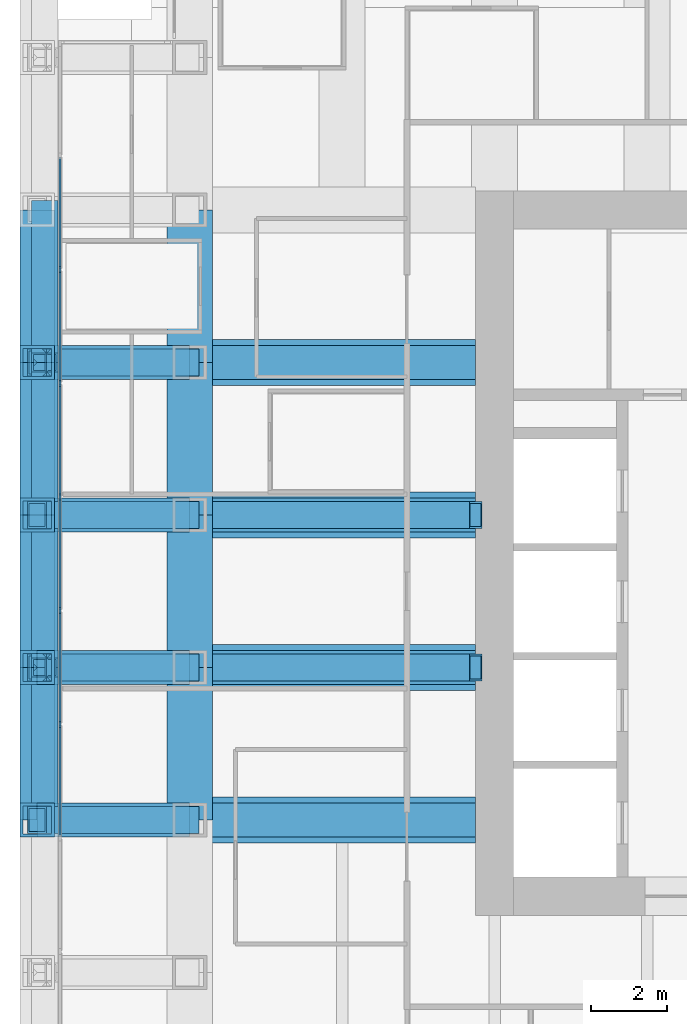
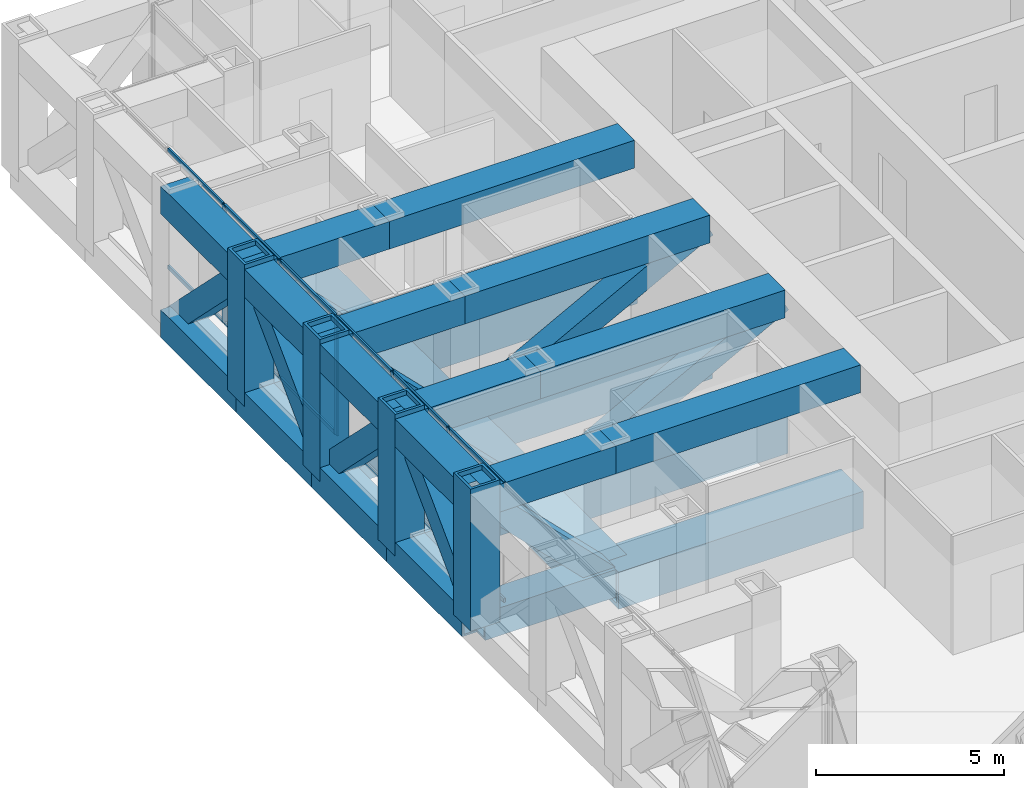
# One storey, part 4 of 14: 31 members, 28 beams, 1 element without a shape of its own.
"""IFC4 building model written with IfcOpenShell, lengths in metres."""

import ifcopenshell
import ifcopenshell.guid

model = None  # the IFC model being written
_history = None  # IfcOwnerHistory: only IFC2X3 demands one
_inside = {}  # id of a spatial element -> (the spatial element, [elements in it])
_under = {}  # id of a project, library or spatial element -> (it, [spatial elements below it])
_declared = {}  # id of a project -> (the project, [libraries it declares])
_typed = {}  # id of a type object -> (the type object, [elements of that type])
_made_of = {}  # id of a material, layer set ... -> (it, [elements and type objects made of it])


def new_model(schema):
    """Start an empty IFC model of exactly this schema.

    Asked for "IFC4X3", IfcOpenShell would pick the latest addendum, in which some entities
    have other attributes; the version numbers below select the first issue.
    IFC2X3 requires an IfcOwnerHistory on every rooted entity: one is made here for all.
    """
    global model, _history
    if schema == "IFC4X3":
        model = ifcopenshell.file(schema_version=(4, 3, 0, 0))
    else:
        model = ifcopenshell.file(schema=schema)
    _inside.clear()
    _under.clear()
    _declared.clear()
    _typed.clear()
    _made_of.clear()
    _history = None
    if model.schema == "IFC2X3":
        org = make("IfcOrganization", Name="unknown")
        user = make(
            "IfcPersonAndOrganization",
            ThePerson=make("IfcPerson", FamilyName="unknown"),
            TheOrganization=org,
        )
        app = make(
            "IfcApplication",
            ApplicationDeveloper=org,
            Version="unknown",
            ApplicationFullName="unknown",
            ApplicationIdentifier="unknown",
        )
        _history = make(
            "IfcOwnerHistory",
            OwningUser=user,
            OwningApplication=app,
            ChangeAction="ADDED",
            CreationDate=0,
        )
    return model


def make(cls, **values):
    """One entity of the class cls with the attributes given. An attribute that is None is left unset."""
    return model.create_entity(
        cls, **{name: value for name, value in values.items() if value is not None}
    )


def rooted(cls, **values):
    """An entity with a GlobalId (a new one), such as an element, a storey or a relation."""
    return make(cls, GlobalId=ifcopenshell.guid.new(), OwnerHistory=_history, **values)


def si_unit(unit_type, name, prefix=None):
    """IfcSIUnit, for example si_unit("LENGTHUNIT", "METRE", prefix="MILLI")."""
    return make("IfcSIUnit", UnitType=unit_type, Prefix=prefix, Name=name)


def assignment(units):
    """IfcUnitAssignment: the units of a project."""
    return None if units is None else make("IfcUnitAssignment", Units=units)


def point(xyz):
    """IfcCartesianPoint."""
    return None if xyz is None else make("IfcCartesianPoint", Coordinates=xyz)


def direction(xyz):
    """IfcDirection."""
    return None if xyz is None else make("IfcDirection", DirectionRatios=xyz)


def frame(location, z_axis=None, x_axis=None):
    """IfcAxis2Placement3D, a coordinate frame: its origin and axes. An axis left out is left unset."""
    return make(
        "IfcAxis2Placement3D",
        Location=point(location),
        Axis=direction(z_axis),
        RefDirection=direction(x_axis),
    )


def frame_2d(location, x_axis=None):
    """IfcAxis2Placement2D, a coordinate frame in the plane: its origin and x axis."""
    return make(
        "IfcAxis2Placement2D", Location=point(location), RefDirection=direction(x_axis)
    )


def origin():
    """The frame at (0, 0, 0) with its axes left unset."""
    return frame((0.0, 0.0, 0.0))


def origin_2d():
    """The frame at (0, 0) in the plane with its x axis left unset."""
    return frame_2d((0.0, 0.0))


def place(relative_to, where):
    """IfcLocalPlacement: puts the frame where relative to a parent placement (None: the world)."""
    return make(
        "IfcLocalPlacement", PlacementRelTo=relative_to, RelativePlacement=where
    )


def context(
    kind, dimensions, precision=None, world=None, true_north=None, identifier=None
):
    """IfcGeometricRepresentationContext, for example the 3D "Model" context."""
    return make(
        "IfcGeometricRepresentationContext",
        ContextIdentifier=identifier,
        ContextType=kind,
        CoordinateSpaceDimension=dimensions,
        Precision=precision,
        WorldCoordinateSystem=world,
        TrueNorth=true_north,
    )


def subcontext(parent, identifier, kind, view, scale=None):
    """IfcGeometricRepresentationSubContext, for example "Body" below "Model"."""
    return make(
        "IfcGeometricRepresentationSubContext",
        ContextIdentifier=identifier,
        ContextType=kind,
        ParentContext=parent,
        TargetScale=scale,
        TargetView=view,
    )


def project(units=None, contexts=None):
    """IfcProject with its units and contexts."""
    return rooted(
        "IfcProject",
        Name="project",
        RepresentationContexts=contexts,
        UnitsInContext=assignment(units),
    )


def spatial(cls, under=None, at=None, **own):
    """A site, building, storey or space (cls), placed at a placement, below another one or the project."""
    s = rooted(cls, ObjectPlacement=at, **own)
    if under is not None:
        _under.setdefault(under.id(), (under, []))[1].append(s)
    return s


def profile(cls, at=None, kind="AREA", **sizes):
    """A parametric profile (cls). Its sizes go by their IFC names, for example OverallWidth=200.0."""
    return make(cls, ProfileType=kind, Position=at, **sizes)


def rectangle(**sizes):
    """IfcRectangleProfileDef."""
    return profile("IfcRectangleProfileDef", **sizes)


def hollow_rectangle(**sizes):
    """IfcRectangleHollowProfileDef."""
    return profile("IfcRectangleHollowProfileDef", **sizes)


def extrude(swept, where, along, depth):
    """IfcExtrudedAreaSolid: the profile swept, set in the frame where, extruded along a direction by depth."""
    return make(
        "IfcExtrudedAreaSolid",
        SweptArea=swept,
        Position=where,
        ExtrudedDirection=direction(along),
        Depth=depth,
    )


def shape(context_of_items, identifier, shape_type, items):
    """IfcShapeRepresentation: the items that make up one representation, for example the "Body"."""
    return make(
        "IfcShapeRepresentation",
        ContextOfItems=context_of_items,
        RepresentationIdentifier=identifier,
        RepresentationType=shape_type,
        Items=items,
    )


def material(Name=None, Category=None):
    """IfcMaterial."""
    return make("IfcMaterial", Name=Name, Category=Category)


def material_profile(
    of_material, cross_section, Name=None, Category=None, Priority=None
):
    """IfcMaterialProfile: a cross section and its material."""
    return make(
        "IfcMaterialProfile",
        Name=Name,
        Material=of_material,
        Profile=cross_section,
        Priority=Priority,
        Category=Category,
    )


def profile_set(profiles, Name=None, composite=None):
    """IfcMaterialProfileSet."""
    return make(
        "IfcMaterialProfileSet",
        Name=Name,
        MaterialProfiles=profiles,
        CompositeProfile=composite,
    )


def made_of(thing, what):
    """Note that an element or type object is made of a material, layer set ...; save() writes the relation."""
    if what is not None:
        _made_of.setdefault(what.id(), (what, []))[1].append(thing)
    return thing


def type_object(cls, material=None, **own):
    """A type object (cls), such as IfcWallType, which elements share."""
    return made_of(rooted(cls, **own), material)


def element(
    cls,
    number,
    at=None,
    inside=None,
    cuts=None,
    type_object=None,
    material=None,
    context=None,
    identifier="Body",
    shape_type=None,
    held_by="IfcProductDefinitionShape",
    body=None,
    shapes=None,
    **own,
):
    """One element of the class cls, such as IfcWall. Its Tag is "e" and its number.

    at: its placement. inside: the storey or other place that contains it. cuts: it is an
    opening in that element (IfcRelVoidsElement). A single representation is given by context,
    identifier, shape_type and body (its items); several are given by shapes. held_by: the class
    of the entity that holds the representations. save() writes the other relations.
    """
    e = rooted(cls, Tag="e%d" % number, ObjectPlacement=at, **own)
    if body is not None:
        shapes = [shape(context, identifier, shape_type, body)]
    if shapes is not None:
        e.Representation = make(held_by, Representations=shapes)
    if inside is not None:
        _inside.setdefault(inside.id(), (inside, []))[1].append(e)
    if cuts is not None:
        rooted(
            "IfcRelVoidsElement", RelatingBuildingElement=cuts, RelatedOpeningElement=e
        )
    if type_object is not None:
        _typed.setdefault(type_object.id(), (type_object, []))[1].append(e)
    return made_of(e, material)


def aggregate(whole, parts):
    """IfcRelAggregates: a whole, such as a stair, and the parts it consists of."""
    return rooted("IfcRelAggregates", RelatingObject=whole, RelatedObjects=parts)


def save(model, path):
    """Write the relations noted so far, then the file.

    IfcRelAggregates (storeys below a building ...), IfcRelContainedInSpatialStructure (elements
    in a storey), IfcRelDefinesByType, IfcRelAssociatesMaterial and IfcRelDeclares: one each for
    every whole, place, type object, material and project.
    """
    for whole, parts in _under.values():
        aggregate(whole, parts)
    for where, things in _inside.values():
        rooted(
            "IfcRelContainedInSpatialStructure",
            RelatedElements=things,
            RelatingStructure=where,
        )
    for kind, things in _typed.values():
        rooted("IfcRelDefinesByType", RelatedObjects=things, RelatingType=kind)
    for what, things in _made_of.values():
        rooted("IfcRelAssociatesMaterial", RelatedObjects=things, RelatingMaterial=what)
    for by, libraries in _declared.values():
        rooted("IfcRelDeclares", RelatingContext=by, RelatedDefinitions=libraries)
    model.write(path)


model = new_model("IFC4")

# Units and contexts
model_context = context("Model", 3, precision=1e-05, world=origin(), true_north=direction((0.0, 1.0)))
body_context = subcontext(model_context, "Body", "Model", "MODEL_VIEW")
ifc_project = project(units=[si_unit("LENGTHUNIT", "METRE"), si_unit("AREAUNIT", "SQUARE_METRE"), si_unit("VOLUMEUNIT", "CUBIC_METRE"), si_unit("PLANEANGLEUNIT", "RADIAN"), si_unit("MASSUNIT", "GRAM", prefix="KILO")], contexts=[model_context])

# Site, building, storey
site_placement = place(None, origin())
site = spatial("IfcSite", under=ifc_project, at=site_placement, CompositionType="ELEMENT")
building_placement = place(site_placement, origin())
building = spatial("IfcBuilding", under=site, at=building_placement, Name="Rimbunsela Tower", CompositionType="ELEMENT")
storey_placement = place(building_placement, frame((0.0, 0.0, 270.199951171875)))
storey = spatial("IfcBuildingStorey", under=building, at=storey_placement, Name="L65", CompositionType="ELEMENT", Elevation=270.199951171875)

# Beams
ifc_material_1 = material(Name="Steel BJ 55 (fy 410 MPa)", Category="steel")
ifc_material_profile_1 = material_profile(ifc_material_1, hollow_rectangle(XDim=1.199951171875, YDim=1.199951171875, WallThickness=0.125, at=origin_2d()), Name="BOX 1200x1200x125")
ifc_profile_set_1 = profile_set([ifc_material_profile_1], Name="Steel BJ 55 (fy 410 MPa)")
beam_type_1 = type_object("IfcBeamType", Name="Beam BOX 1200x1200x125", PredefinedType="BEAM", material=ifc_profile_set_1)
beam_1_placement = place(storey_placement, frame((10.0, 20.0, -0.75), z_axis=(0.0, 1.0, 0.0), x_axis=(-1.0, 0.0, 0.0)))
element("IfcBeam", 1, at=beam_1_placement, inside=storey, type_object=beam_type_1, Name="Beam B4 L65", PredefinedType="BEAM", context=body_context, shape_type="SweptSolid", body=[
    extrude(hollow_rectangle(XDim=1.199951171875, YDim=1.199951171875, WallThickness=0.125, at=origin_2d()), origin(), (0.0, 0.0, 1.0), 4.0),
])
beam_2_placement = place(storey_placement, frame((10.0, 20.0, -0.75), z_axis=(1.0, 0.0, 0.0), x_axis=(0.0, 1.0, 0.0)))
element("IfcBeam", 2, at=beam_2_placement, inside=storey, type_object=beam_type_1, Name="Beam B4 L65", PredefinedType="BEAM", context=body_context, shape_type="SweptSolid", body=[
    extrude(hollow_rectangle(XDim=1.199951171875, YDim=1.199951171875, WallThickness=0.125, at=origin_2d()), origin(), (0.0, 0.0, 1.0), 7.5),
])
beam_3_placement = place(storey_placement, frame((10.0, 24.0, -0.75), z_axis=(0.0, 1.0, 0.0), x_axis=(-1.0, 0.0, 0.0)))
element("IfcBeam", 3, at=beam_3_placement, inside=storey, type_object=beam_type_1, Name="Beam B4 L65", PredefinedType="BEAM", context=body_context, shape_type="SweptSolid", body=[
    extrude(hollow_rectangle(XDim=1.199951171875, YDim=1.199951171875, WallThickness=0.125, at=origin_2d()), origin(), (0.0, 0.0, 1.0), 4.0),
])
beam_4_placement = place(storey_placement, frame((10.0, 24.0, -0.75), z_axis=(1.0, 0.0, 0.0), x_axis=(0.0, 1.0, 0.0)))
element("IfcBeam", 4, at=beam_4_placement, inside=storey, type_object=beam_type_1, Name="Beam B4 L65", PredefinedType="BEAM", context=body_context, shape_type="SweptSolid", body=[
    extrude(hollow_rectangle(XDim=1.199951171875, YDim=1.199951171875, WallThickness=0.125, at=origin_2d()), origin(), (0.0, 0.0, 1.0), 7.5),
])
beam_5_placement = place(storey_placement, frame((10.0, 28.0, -0.75), z_axis=(0.0, 1.0, 0.0), x_axis=(-1.0, 0.0, 0.0)))
element("IfcBeam", 5, at=beam_5_placement, inside=storey, type_object=beam_type_1, Name="Beam B4 L65", PredefinedType="BEAM", context=body_context, shape_type="SweptSolid", body=[
    extrude(hollow_rectangle(XDim=1.199951171875, YDim=1.199951171875, WallThickness=0.125, at=origin_2d()), origin(), (0.0, 0.0, 1.0), 4.0),
])
beam_6_placement = place(storey_placement, frame((10.0, 28.0, -0.75), z_axis=(1.0, 0.0, 0.0), x_axis=(0.0, 1.0, 0.0)))
element("IfcBeam", 6, at=beam_6_placement, inside=storey, type_object=beam_type_1, Name="Beam B4 L65", PredefinedType="BEAM", context=body_context, shape_type="SweptSolid", body=[
    extrude(hollow_rectangle(XDim=1.199951171875, YDim=1.199951171875, WallThickness=0.125, at=origin_2d()), origin(), (0.0, 0.0, 1.0), 7.5),
])
beam_7_placement = place(storey_placement, frame((10.0, 32.0, -0.75), z_axis=(0.0, 1.0, 0.0), x_axis=(-1.0, 0.0, 0.0)))
element("IfcBeam", 7, at=beam_7_placement, inside=storey, type_object=beam_type_1, Name="Beam B4 L65", PredefinedType="BEAM", context=body_context, shape_type="SweptSolid", body=[
    extrude(hollow_rectangle(XDim=1.199951171875, YDim=1.199951171875, WallThickness=0.125, at=origin_2d()), origin(), (0.0, 0.0, 1.0), 4.0),
])
beam_8_placement = place(storey_placement, frame((10.0, 32.0, -0.75), z_axis=(1.0, 0.0, 0.0), x_axis=(0.0, 1.0, 0.0)))
element("IfcBeam", 8, at=beam_8_placement, inside=storey, type_object=beam_type_1, Name="Beam B4 L65", PredefinedType="BEAM", context=body_context, shape_type="SweptSolid", body=[
    extrude(hollow_rectangle(XDim=1.199951171875, YDim=1.199951171875, WallThickness=0.125, at=origin_2d()), origin(), (0.0, 0.0, 1.0), 7.5),
])

# Curtain wall, members
ifc_material_2 = material(Name="Aluminium curtain wall", Category="aluminium")
curtain_wall_type = type_object("IfcCurtainWallType", Name="Exoskeleton storey infill", PredefinedType="USERDEFINED", material=ifc_material_2)
curtain_wall_placement = place(storey_placement, origin())
curtain_wall = element("IfcCurtainWall", 9, at=curtain_wall_placement, inside=storey, type_object=curtain_wall_type, Name="Exoskeleton storey infill L65", ObjectType="EXOSKELETON STOREY INFILL", PredefinedType="USERDEFINED")
ifc_material_3 = material(Name="Aluminium mullion", Category="aluminium")
ifc_material_profile_2 = material_profile(ifc_material_3, rectangle(XDim=0.06005859375, YDim=0.159912109375, at=origin_2d()), Name="Mullion 60x160")
ifc_profile_set_2 = profile_set([ifc_material_profile_2], Name="Aluminium mullion")
member_type_1 = type_object("IfcMemberType", Name="Curtain wall mullion 60x160", PredefinedType="MULLION", material=ifc_profile_set_2)
member_1_placement = place(storey_placement, frame((6.60009765625, 34.436279296875, 0.0), z_axis=(0.0, 0.0, 1.0), x_axis=(1.0, 0.0, 0.0)))
member_1 = element("IfcMember", 10, at=member_1_placement, type_object=member_type_1, Name="CW2 mullion 3", PredefinedType="MULLION", context=body_context, shape_type="SweptSolid", body=[
    extrude(rectangle(XDim=0.06005859375, YDim=0.159912109375, at=origin_2d()), origin(), (0.0, 0.0, 1.0), 3.85009765625),
])
member_2_placement = place(storey_placement, frame((6.60009765625, 31.45458984375, 0.0), z_axis=(0.0, 0.0, 1.0), x_axis=(1.0, 0.0, 0.0)))
member_2 = element("IfcMember", 11, at=member_2_placement, type_object=member_type_1, Name="CW2 mullion 4", PredefinedType="MULLION", context=body_context, shape_type="SweptSolid", body=[
    extrude(rectangle(XDim=0.06005859375, YDim=0.159912109375, at=origin_2d()), origin(), (0.0, 0.0, 1.0), 3.85009765625),
])
member_3_placement = place(storey_placement, frame((6.60009765625, 28.47265625, 0.0), z_axis=(0.0, 0.0, 1.0), x_axis=(1.0, 0.0, 0.0)))
member_3 = element("IfcMember", 12, at=member_3_placement, type_object=member_type_1, Name="CW2 mullion 5", PredefinedType="MULLION", context=body_context, shape_type="SweptSolid", body=[
    extrude(rectangle(XDim=0.06005859375, YDim=0.159912109375, at=origin_2d()), origin(), (0.0, 0.0, 1.0), 3.85009765625),
])
member_4_placement = place(storey_placement, frame((6.60009765625, 25.490966796875, 0.0), z_axis=(0.0, 0.0, 1.0), x_axis=(1.0, 0.0, 0.0)))
member_4 = element("IfcMember", 13, at=member_4_placement, type_object=member_type_1, Name="CW2 mullion 6", PredefinedType="MULLION", context=body_context, shape_type="SweptSolid", body=[
    extrude(rectangle(XDim=0.06005859375, YDim=0.159912109375, at=origin_2d()), origin(), (0.0, 0.0, 1.0), 3.85009765625),
])
member_5_placement = place(storey_placement, frame((6.60009765625, 22.509033203125, 0.0), z_axis=(0.0, 0.0, 1.0), x_axis=(1.0, 0.0, 0.0)))
member_5 = element("IfcMember", 14, at=member_5_placement, type_object=member_type_1, Name="CW2 mullion 7", PredefinedType="MULLION", context=body_context, shape_type="SweptSolid", body=[
    extrude(rectangle(XDim=0.06005859375, YDim=0.159912109375, at=origin_2d()), origin(), (0.0, 0.0, 1.0), 3.85009765625),
])
ifc_material_4 = material(Name="Aluminium transom", Category="aluminium")
ifc_material_profile_3 = material_profile(ifc_material_4, rectangle(XDim=0.06005859375, YDim=0.1201171875, at=origin_2d()), Name="Transom 60x120")
ifc_profile_set_3 = profile_set([ifc_material_profile_3], Name="Aluminium transom")
member_type_2 = type_object("IfcMemberType", Name="Curtain wall transom 60x120", PredefinedType="USERDEFINED", material=ifc_profile_set_3)
member_6_placement = place(storey_placement, frame((6.60009765625, 37.38818359375, 0.030029296875), z_axis=(0.0, -1.0, 0.0), x_axis=(1.0, 0.0, 0.0)))
member_6 = element("IfcMember", 15, at=member_6_placement, type_object=member_type_2, Name="CW2 transom 2.1", ObjectType="TRANSOM", PredefinedType="USERDEFINED", context=body_context, shape_type="SweptSolid", body=[
    extrude(rectangle(XDim=0.06005859375, YDim=0.1201171875, at=origin_2d()), origin(), (0.0, 0.0, 1.0), 2.921875),
])
member_7_placement = place(storey_placement, frame((6.60009765625, 37.38818359375, 3.820068359375), z_axis=(0.0, -1.0, 0.0), x_axis=(1.0, 0.0, 0.0)))
member_7 = element("IfcMember", 16, at=member_7_placement, type_object=member_type_2, Name="CW2 transom 2.2", ObjectType="TRANSOM", PredefinedType="USERDEFINED", context=body_context, shape_type="SweptSolid", body=[
    extrude(rectangle(XDim=0.06005859375, YDim=0.1201171875, at=origin_2d()), origin(), (0.0, 0.0, 1.0), 2.921875),
])
member_8_placement = place(storey_placement, frame((6.60009765625, 34.40625, 0.030029296875), z_axis=(0.0, -1.0, 0.0), x_axis=(1.0, 0.0, 0.0)))
member_8 = element("IfcMember", 17, at=member_8_placement, type_object=member_type_2, Name="CW2 transom 3.1", ObjectType="TRANSOM", PredefinedType="USERDEFINED", context=body_context, shape_type="SweptSolid", body=[
    extrude(rectangle(XDim=0.06005859375, YDim=0.1201171875, at=origin_2d()), origin(), (0.0, 0.0, 1.0), 2.921630859375),
])
member_9_placement = place(storey_placement, frame((6.60009765625, 34.40625, 3.820068359375), z_axis=(0.0, -1.0, 0.0), x_axis=(1.0, 0.0, 0.0)))
member_9 = element("IfcMember", 18, at=member_9_placement, type_object=member_type_2, Name="CW2 transom 3.2", ObjectType="TRANSOM", PredefinedType="USERDEFINED", context=body_context, shape_type="SweptSolid", body=[
    extrude(rectangle(XDim=0.06005859375, YDim=0.1201171875, at=origin_2d()), origin(), (0.0, 0.0, 1.0), 2.921630859375),
])
member_10_placement = place(storey_placement, frame((6.60009765625, 31.424560546875, 0.030029296875), z_axis=(0.0, -1.0, 0.0), x_axis=(1.0, 0.0, 0.0)))
member_10 = element("IfcMember", 19, at=member_10_placement, type_object=member_type_2, Name="CW2 transom 4.1", ObjectType="TRANSOM", PredefinedType="USERDEFINED", context=body_context, shape_type="SweptSolid", body=[
    extrude(rectangle(XDim=0.06005859375, YDim=0.1201171875, at=origin_2d()), origin(), (0.0, 0.0, 1.0), 2.921875),
])
member_11_placement = place(storey_placement, frame((6.60009765625, 31.424560546875, 3.820068359375), z_axis=(0.0, -1.0, 0.0), x_axis=(1.0, 0.0, 0.0)))
member_11 = element("IfcMember", 20, at=member_11_placement, type_object=member_type_2, Name="CW2 transom 4.2", ObjectType="TRANSOM", PredefinedType="USERDEFINED", context=body_context, shape_type="SweptSolid", body=[
    extrude(rectangle(XDim=0.06005859375, YDim=0.1201171875, at=origin_2d()), origin(), (0.0, 0.0, 1.0), 2.921875),
])
member_12_placement = place(storey_placement, frame((6.60009765625, 28.442626953125, 0.030029296875), z_axis=(0.0, -1.0, 0.0), x_axis=(1.0, 0.0, 0.0)))
member_12 = element("IfcMember", 21, at=member_12_placement, type_object=member_type_2, Name="CW2 transom 5.1", ObjectType="TRANSOM", PredefinedType="USERDEFINED", context=body_context, shape_type="SweptSolid", body=[
    extrude(rectangle(XDim=0.06005859375, YDim=0.1201171875, at=origin_2d()), origin(), (0.0, 0.0, 1.0), 2.921630859375),
])
member_13_placement = place(storey_placement, frame((6.60009765625, 28.442626953125, 3.820068359375), z_axis=(0.0, -1.0, 0.0), x_axis=(1.0, 0.0, 0.0)))
member_13 = element("IfcMember", 22, at=member_13_placement, type_object=member_type_2, Name="CW2 transom 5.2", ObjectType="TRANSOM", PredefinedType="USERDEFINED", context=body_context, shape_type="SweptSolid", body=[
    extrude(rectangle(XDim=0.06005859375, YDim=0.1201171875, at=origin_2d()), origin(), (0.0, 0.0, 1.0), 2.921630859375),
])
member_14_placement = place(storey_placement, frame((6.60009765625, 25.4609375, 0.030029296875), z_axis=(0.0, -1.0, 0.0), x_axis=(1.0, 0.0, 0.0)))
member_14 = element("IfcMember", 23, at=member_14_placement, type_object=member_type_2, Name="CW2 transom 6.1", ObjectType="TRANSOM", PredefinedType="USERDEFINED", context=body_context, shape_type="SweptSolid", body=[
    extrude(rectangle(XDim=0.06005859375, YDim=0.1201171875, at=origin_2d()), origin(), (0.0, 0.0, 1.0), 2.921875),
])
member_15_placement = place(storey_placement, frame((6.60009765625, 25.4609375, 3.820068359375), z_axis=(0.0, -1.0, 0.0), x_axis=(1.0, 0.0, 0.0)))
member_15 = element("IfcMember", 24, at=member_15_placement, type_object=member_type_2, Name="CW2 transom 6.2", ObjectType="TRANSOM", PredefinedType="USERDEFINED", context=body_context, shape_type="SweptSolid", body=[
    extrude(rectangle(XDim=0.06005859375, YDim=0.1201171875, at=origin_2d()), origin(), (0.0, 0.0, 1.0), 2.921875),
])
member_16_placement = place(storey_placement, frame((6.60009765625, 22.47900390625, 0.030029296875), z_axis=(0.0, -1.0, 0.0), x_axis=(1.0, 0.0, 0.0)))
member_16 = element("IfcMember", 25, at=member_16_placement, type_object=member_type_2, Name="CW2 transom 7.1", ObjectType="TRANSOM", PredefinedType="USERDEFINED", context=body_context, shape_type="SweptSolid", body=[
    extrude(rectangle(XDim=0.06005859375, YDim=0.1201171875, at=origin_2d()), origin(), (0.0, 0.0, 1.0), 2.921630859375),
])
member_17_placement = place(storey_placement, frame((6.60009765625, 22.47900390625, 3.820068359375), z_axis=(0.0, -1.0, 0.0), x_axis=(1.0, 0.0, 0.0)))
member_17 = element("IfcMember", 26, at=member_17_placement, type_object=member_type_2, Name="CW2 transom 7.2", ObjectType="TRANSOM", PredefinedType="USERDEFINED", context=body_context, shape_type="SweptSolid", body=[
    extrude(rectangle(XDim=0.06005859375, YDim=0.1201171875, at=origin_2d()), origin(), (0.0, 0.0, 1.0), 2.921630859375),
])
aggregate(curtain_wall, [member_1, member_2, member_3, member_4, member_5, member_6, member_7, member_8, member_9, member_10, member_11, member_12, member_13, member_14, member_15, member_16, member_17])

# Members
ifc_material_5 = material(Name="Steel BJ 55 (fy 410 MPa)", Category="steel")
ifc_material_profile_4 = material_profile(ifc_material_5, hollow_rectangle(XDim=0.699951171875, YDim=0.699951171875, WallThickness=0.050048828125, at=origin_2d()), Name="BOX 700x700x50")
ifc_profile_set_4 = profile_set([ifc_material_profile_4], Name="Steel BJ 55 (fy 410 MPa)")
member_type_3 = type_object("IfcMemberType", Name="Outrigger brace BOX 700x700x50", PredefinedType="BRACE", material=ifc_profile_set_4)
for number, where, z_axis, x_axis, name in (
    (27, (10.0, 28.0, -0.599853515625), (0.882352941176, 0.0, 0.470588235294), (0.0, 1.0, 0.0), "Outrigger brace OB2 W L65"),
    (28, (10.0, 24.0, -0.599853515625), (0.882352941176, 0.0, 0.470588235294), (0.0, 1.0, 0.0), "Outrigger brace OB2 W L65"),
):
    element("IfcMember", number, at=place(storey_placement, frame(where, z_axis=z_axis, x_axis=x_axis)), inside=storey, type_object=member_type_3, Name=name, PredefinedType="BRACE", context=body_context, shape_type="SweptSolid", body=[
        extrude(hollow_rectangle(XDim=0.699951171875, YDim=0.699951171875, WallThickness=0.050048828125, at=origin_2d()), origin(), (0.0, 0.0, 1.0), 8.5),
    ])

# Beams
ifc_material_6 = material(Name="Steel BJ 55 (fy 410 MPa)", Category="steel")
ifc_material_profile_5 = material_profile(ifc_material_6, hollow_rectangle(XDim=0.89990234375, YDim=0.89990234375, WallThickness=0.06005859375, at=origin_2d()), Name="BOX 900x900x60")
ifc_profile_set_5 = profile_set([ifc_material_profile_5], Name="Steel BJ 55 (fy 410 MPa)")
beam_type_2 = type_object("IfcBeamType", Name="Truss chord BOX 900x900x60", PredefinedType="USERDEFINED", material=ifc_profile_set_5)
for number, where, z_axis, x_axis, name in (
    (29, (6.0, 20.0, 3.400146484375), (0.0, 1.0, 0.0), (-1.0, 0.0, 0.0), "Truss top chord TC4 W face L65"),
    (30, (6.0, 24.0, 3.400146484375), (0.0, 1.0, 0.0), (-1.0, 0.0, 0.0), "Truss top chord TC4 W face L65"),
    (31, (6.0, 28.0, 3.400146484375), (0.0, 1.0, 0.0), (-1.0, 0.0, 0.0), "Truss top chord TC4 W face L65"),
    (32, (6.0, 32.0, 3.400146484375), (0.0, 1.0, 0.0), (-1.0, 0.0, 0.0), "Truss top chord TC4 W face L65"),
    (33, (10.0, 20.0, -0.599853515625), (-1.0, 0.0, 0.0), (0.0, -1.0, 0.0), "Cantilever truss bottom chord TC4 4/G L65"),
):
    element("IfcBeam", number, at=place(storey_placement, frame(where, z_axis=z_axis, x_axis=x_axis)), inside=storey, type_object=beam_type_2, Name=name, ObjectType="TRUSS CHORD", PredefinedType="USERDEFINED", context=body_context, shape_type="SweptSolid", body=[
        extrude(hollow_rectangle(XDim=0.89990234375, YDim=0.89990234375, WallThickness=0.06005859375, at=origin_2d()), origin(), (0.0, 0.0, 1.0), 4.0),
    ])
beam_9_placement = place(storey_placement, frame((17.5, 20.0, 3.400146484375), z_axis=(-1.0, 0.0, 0.0), x_axis=(0.0, -1.0, 0.0)))
element("IfcBeam", 34, at=beam_9_placement, inside=storey, type_object=beam_type_2, Name="Cantilever truss top chord TC4 4/G L65", ObjectType="TRUSS CHORD", PredefinedType="USERDEFINED", context=body_context, shape_type="SweptSolid", body=[
    extrude(hollow_rectangle(XDim=0.89990234375, YDim=0.89990234375, WallThickness=0.06005859375, at=origin_2d()), origin(), (0.0, 0.0, 1.0), 7.5),
])
for number, where, z_axis, x_axis, name in (
    (35, (10.0, 20.0, 3.400146484375), (-1.0, 0.0, 0.0), (0.0, -1.0, 0.0), "Cantilever truss top chord TC4 4/G L65"),
    (36, (10.0, 24.0, -0.599853515625), (-1.0, 0.0, 0.0), (0.0, -1.0, 0.0), "Cantilever truss bottom chord TC4 4/H L65"),
):
    element("IfcBeam", number, at=place(storey_placement, frame(where, z_axis=z_axis, x_axis=x_axis)), inside=storey, type_object=beam_type_2, Name=name, ObjectType="TRUSS CHORD", PredefinedType="USERDEFINED", context=body_context, shape_type="SweptSolid", body=[
        extrude(hollow_rectangle(XDim=0.89990234375, YDim=0.89990234375, WallThickness=0.06005859375, at=origin_2d()), origin(), (0.0, 0.0, 1.0), 4.0),
    ])
beam_10_placement = place(storey_placement, frame((17.5, 24.0, 3.400146484375), z_axis=(-1.0, 0.0, 0.0), x_axis=(0.0, -1.0, 0.0)))
element("IfcBeam", 37, at=beam_10_placement, inside=storey, type_object=beam_type_2, Name="Cantilever truss top chord TC4 4/H L65", ObjectType="TRUSS CHORD", PredefinedType="USERDEFINED", context=body_context, shape_type="SweptSolid", body=[
    extrude(hollow_rectangle(XDim=0.89990234375, YDim=0.89990234375, WallThickness=0.06005859375, at=origin_2d()), origin(), (0.0, 0.0, 1.0), 7.5),
])
for number, where, z_axis, x_axis, name in (
    (38, (10.0, 24.0, 3.400146484375), (-1.0, 0.0, 0.0), (0.0, -1.0, 0.0), "Cantilever truss top chord TC4 4/H L65"),
    (39, (10.0, 28.0, -0.599853515625), (-1.0, 0.0, 0.0), (0.0, -1.0, 0.0), "Cantilever truss bottom chord TC4 4/J L65"),
):
    element("IfcBeam", number, at=place(storey_placement, frame(where, z_axis=z_axis, x_axis=x_axis)), inside=storey, type_object=beam_type_2, Name=name, ObjectType="TRUSS CHORD", PredefinedType="USERDEFINED", context=body_context, shape_type="SweptSolid", body=[
        extrude(hollow_rectangle(XDim=0.89990234375, YDim=0.89990234375, WallThickness=0.06005859375, at=origin_2d()), origin(), (0.0, 0.0, 1.0), 4.0),
    ])
beam_11_placement = place(storey_placement, frame((17.5, 28.0, 3.400146484375), z_axis=(-1.0, 0.0, 0.0), x_axis=(0.0, -1.0, 0.0)))
element("IfcBeam", 40, at=beam_11_placement, inside=storey, type_object=beam_type_2, Name="Cantilever truss top chord TC4 4/J L65", ObjectType="TRUSS CHORD", PredefinedType="USERDEFINED", context=body_context, shape_type="SweptSolid", body=[
    extrude(hollow_rectangle(XDim=0.89990234375, YDim=0.89990234375, WallThickness=0.06005859375, at=origin_2d()), origin(), (0.0, 0.0, 1.0), 7.5),
])
for number, where, z_axis, x_axis, name in (
    (41, (10.0, 28.0, 3.400146484375), (-1.0, 0.0, 0.0), (0.0, -1.0, 0.0), "Cantilever truss top chord TC4 4/J L65"),
    (42, (10.0, 32.0, -0.599853515625), (-1.0, 0.0, 0.0), (0.0, -1.0, 0.0), "Cantilever truss bottom chord TC4 4/K L65"),
):
    element("IfcBeam", number, at=place(storey_placement, frame(where, z_axis=z_axis, x_axis=x_axis)), inside=storey, type_object=beam_type_2, Name=name, ObjectType="TRUSS CHORD", PredefinedType="USERDEFINED", context=body_context, shape_type="SweptSolid", body=[
        extrude(hollow_rectangle(XDim=0.89990234375, YDim=0.89990234375, WallThickness=0.06005859375, at=origin_2d()), origin(), (0.0, 0.0, 1.0), 4.0),
    ])
beam_12_placement = place(storey_placement, frame((17.5, 32.0, 3.400146484375), z_axis=(-1.0, 0.0, 0.0), x_axis=(0.0, -1.0, 0.0)))
element("IfcBeam", 43, at=beam_12_placement, inside=storey, type_object=beam_type_2, Name="Cantilever truss top chord TC4 4/K L65", ObjectType="TRUSS CHORD", PredefinedType="USERDEFINED", context=body_context, shape_type="SweptSolid", body=[
    extrude(hollow_rectangle(XDim=0.89990234375, YDim=0.89990234375, WallThickness=0.06005859375, at=origin_2d()), origin(), (0.0, 0.0, 1.0), 7.5),
])
for number, where, z_axis, x_axis, name in (
    (44, (10.0, 32.0, 3.400146484375), (-1.0, 0.0, 0.0), (0.0, -1.0, 0.0), "Cantilever truss top chord TC4 4/K L65"),
    (45, (6.0, 20.0, -0.599853515625), (0.0, 1.0, 0.0), (-1.0, 0.0, 0.0), "Truss bottom chord TC4 W face L65"),
    (46, (6.0, 24.0, -0.599853515625), (0.0, 1.0, 0.0), (-1.0, 0.0, 0.0), "Truss bottom chord TC4 W face L65"),
    (47, (6.0, 28.0, -0.599853515625), (0.0, 1.0, 0.0), (-1.0, 0.0, 0.0), "Truss bottom chord TC4 W face L65"),
    (48, (6.0, 32.0, -0.599853515625), (0.0, 1.0, 0.0), (-1.0, 0.0, 0.0), "Truss bottom chord TC4 W face L65"),
):
    element("IfcBeam", number, at=place(storey_placement, frame(where, z_axis=z_axis, x_axis=x_axis)), inside=storey, type_object=beam_type_2, Name=name, ObjectType="TRUSS CHORD", PredefinedType="USERDEFINED", context=body_context, shape_type="SweptSolid", body=[
        extrude(hollow_rectangle(XDim=0.89990234375, YDim=0.89990234375, WallThickness=0.06005859375, at=origin_2d()), origin(), (0.0, 0.0, 1.0), 4.0),
    ])

# Members
ifc_material_7 = material(Name="Steel BJ 55 (fy 410 MPa)", Category="steel")
ifc_material_profile_6 = material_profile(ifc_material_7, hollow_rectangle(XDim=0.699951171875, YDim=0.699951171875, WallThickness=0.050048828125, at=origin_2d()), Name="BOX 700x700x50")
ifc_profile_set_6 = profile_set([ifc_material_profile_6], Name="Steel BJ 55 (fy 410 MPa)")
member_type_4 = type_object("IfcMemberType", Name="Truss diagonal BOX 700x700x50", PredefinedType="BRACE", material=ifc_profile_set_6)
for number, where, z_axis, x_axis, name in (
    (49, (6.199951171875, 20.0, -0.599853515625), (0.0, 0.707106781187, 0.707106781187), (-1.0, 0.0, 0.0), "Truss diagonal TD4 W face L65"),
    (50, (6.199951171875, 24.0, 3.400146484375), (0.0, 0.707106781187, -0.707106781187), (-1.0, 0.0, 0.0), "Truss diagonal TD4 W face L65"),
    (51, (6.199951171875, 28.0, -0.599853515625), (0.0, 0.707106781187, 0.707106781187), (-1.0, 0.0, 0.0), "Truss diagonal TD4 W face L65"),
    (52, (6.199951171875, 32.0, 3.400146484375), (0.0, 0.707106781187, -0.707106781187), (-1.0, 0.0, 0.0), "Truss diagonal TD4 W face L65"),
    (53, (10.0, 20.0, -0.599853515625), (-0.707106781187, 0.0, 0.707106781187), (0.0, -1.0, 0.0), "Cantilever truss diagonal TD4 4/G L65"),
    (54, (10.0, 24.0, -0.599853515625), (-0.707106781187, 0.0, 0.707106781187), (0.0, -1.0, 0.0), "Cantilever truss diagonal TD4 4/H L65"),
    (55, (10.0, 28.0, -0.599853515625), (-0.707106781187, 0.0, 0.707106781187), (0.0, -1.0, 0.0), "Cantilever truss diagonal TD4 4/J L65"),
    (56, (10.0, 32.0, -0.599853515625), (-0.707106781187, 0.0, 0.707106781187), (0.0, -1.0, 0.0), "Cantilever truss diagonal TD4 4/K L65"),
):
    element("IfcMember", number, at=place(storey_placement, frame(where, z_axis=z_axis, x_axis=x_axis)), inside=storey, type_object=member_type_4, Name=name, PredefinedType="BRACE", context=body_context, shape_type="SweptSolid", body=[
        extrude(hollow_rectangle(XDim=0.699951171875, YDim=0.699951171875, WallThickness=0.050048828125, at=origin_2d()), origin(), (0.0, 0.0, 1.0), 5.65673828125),
    ])
ifc_material_8 = material(Name="Steel BJ 55 (fy 410 MPa)", Category="steel")
ifc_material_profile_7 = material_profile(ifc_material_8, hollow_rectangle(XDim=0.89990234375, YDim=0.89990234375, WallThickness=0.080078125, at=origin_2d()), Name="BOX 900x900x80")
ifc_profile_set_7 = profile_set([ifc_material_profile_7], Name="Steel BJ 55 (fy 410 MPa)")
member_type_5 = type_object("IfcMemberType", Name="Truss post BOX 900x900x80", PredefinedType="POST", material=ifc_profile_set_7)
for number, where, z_axis, x_axis, name in (
    (57, (6.0, 20.0, -0.599853515625), (0.0, 0.0, 1.0), (1.0, 0.0, 0.0), "Truss post TP3 4/G L65"),
    (58, (6.0, 24.0, -0.599853515625), (0.0, 0.0, 1.0), (1.0, 0.0, 0.0), "Truss post TP3 4/H L65"),
    (59, (6.0, 28.0, -0.599853515625), (0.0, 0.0, 1.0), (1.0, 0.0, 0.0), "Truss post TP3 4/J L65"),
    (60, (6.0, 32.0, -0.599853515625), (0.0, 0.0, 1.0), (1.0, 0.0, 0.0), "Truss post TP3 4/K L65"),
):
    element("IfcMember", number, at=place(storey_placement, frame(where, z_axis=z_axis, x_axis=x_axis)), inside=storey, type_object=member_type_5, Name=name, PredefinedType="POST", context=body_context, shape_type="SweptSolid", body=[
        extrude(hollow_rectangle(XDim=0.89990234375, YDim=0.89990234375, WallThickness=0.080078125, at=origin_2d()), origin(), (0.0, 0.0, 1.0), 4.599853515625),
    ])

save(model, "model.ifc")
